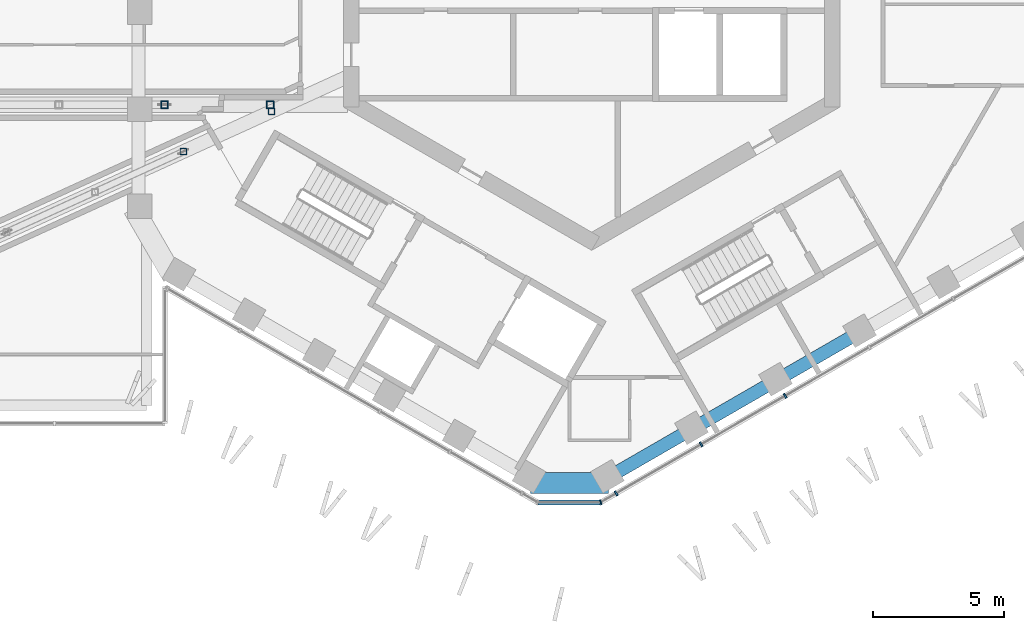
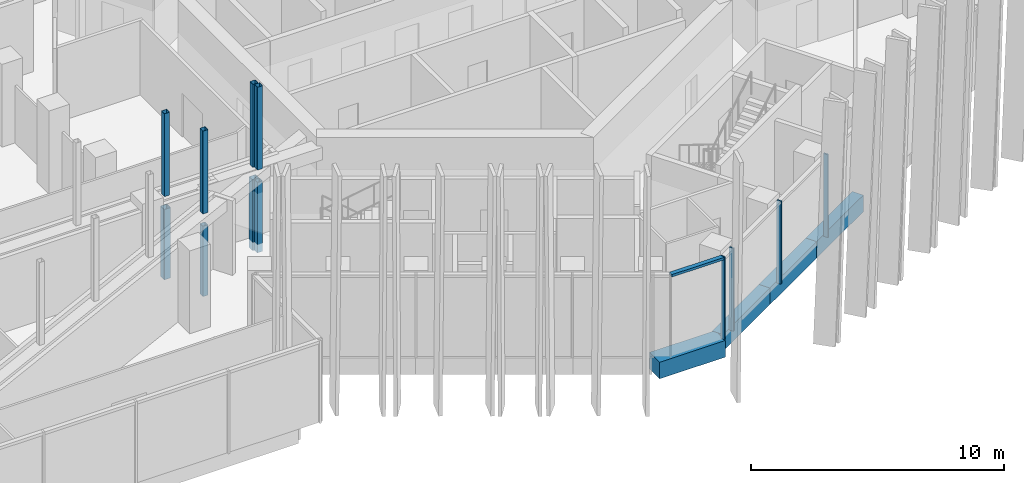
# One storey, part 6 of 28: 13 members, 4 beams, 2 elements without a shape of their own.
"""IFC4 building model written with IfcOpenShell, lengths in metres."""

from ifc_helpers import new_model, si_unit, direction, frame, origin, origin_2d, place, context, subcontext, project, spatial, rectangle, hollow_rectangle, extrude, material, layer, layer_set, material_profile, profile_set, type_object, element, aggregate, save


model = new_model("IFC4")

# Units and contexts
model_context = context("Model", 3, precision=1e-05, world=origin(), true_north=direction((0.0, 1.0)))
body_context = subcontext(model_context, "Body", "Model", "MODEL_VIEW")
ifc_project = project(units=[si_unit("LENGTHUNIT", "METRE"), si_unit("AREAUNIT", "SQUARE_METRE"), si_unit("VOLUMEUNIT", "CUBIC_METRE"), si_unit("PLANEANGLEUNIT", "RADIAN"), si_unit("MASSUNIT", "GRAM", prefix="KILO")], contexts=[model_context])

# Site, building, storey
site_placement = place(None, origin())
site = spatial("IfcSite", under=ifc_project, at=site_placement, CompositionType="ELEMENT")
building_placement = place(site_placement, origin())
building = spatial("IfcBuilding", under=site, at=building_placement, Name="Ayvan Gate Tower", CompositionType="ELEMENT")
storey_placement = place(building_placement, frame((0.0, 0.0, 202.10009765625)))
storey = spatial("IfcBuildingStorey", under=building, at=storey_placement, Name="L54", CompositionType="ELEMENT", Elevation=202.10009765625)

# Beam
ifc_material_1 = material(Name="Concrete C40/50", Category="concrete")
ifc_material_profile_1 = material_profile(ifc_material_1, rectangle(XDim=0.800048828125, YDim=0.800048828125, at=origin_2d()), Name="RC 800x800")
ifc_profile_set_1 = profile_set([ifc_material_profile_1], Name="Concrete C40/50")
beam_type_1 = type_object("IfcBeamType", Name="Corner spandrel beam RC 800x800 C40/50", PredefinedType="BEAM", material=ifc_profile_set_1)
beam_placement = place(storey_placement, frame((-2.348388671875, -19.8642578125, -0.800048828125), z_axis=(1.0, 0.0, 0.0), x_axis=(0.0, 1.0, 0.0)))
element("IfcBeam", 1, at=beam_placement, inside=storey, type_object=beam_type_1, Name="SB-L54-30", PredefinedType="BEAM", context=body_context, shape_type="SweptSolid", body=[
    extrude(rectangle(XDim=0.800048828125, YDim=0.800048828125, at=origin_2d()), origin(), (0.0, 0.0, 1.0), 3.0),
])

# Members
ifc_material_2 = material(Name="Steel S460NH", Category="steel")
ifc_material_profile_2 = material_profile(ifc_material_2, hollow_rectangle(XDim=0.239990234375, YDim=0.239990234375, WallThickness=0.012451171875, InnerFilletRadius=0.012451171875, OuterFilletRadius=0.018798828125, at=origin_2d()), Name="RHS 240x240x12.5")
ifc_profile_set_2 = profile_set([ifc_material_profile_2], Name="Steel S460NH")
member_type_1 = type_object("IfcMemberType", Name="Sky bar end truss post B5 RHS 240x240x12.5", PredefinedType="POST", material=ifc_profile_set_2)
for number, where, z_axis, x_axis, name in (
    (2, (-12.245849609375, -5.65234375, -0.400146484375), (0.0, 0.0, 1.0), (1.0, 0.0, 0.0), "SBT5-4-P-1"),
    (3, (-15.625732421875, -7.193603515625, -0.400146484375), (0.0, 0.0, 1.0), (1.0, 0.0, 0.0), "SBT5-4-P-2"),
):
    element("IfcMember", number, at=place(storey_placement, frame(where, z_axis=z_axis, x_axis=x_axis)), inside=storey, type_object=member_type_1, Name=name, PredefinedType="POST", context=body_context, shape_type="SweptSolid", body=[
        extrude(hollow_rectangle(XDim=0.239990234375, YDim=0.239990234375, WallThickness=0.012451171875, InnerFilletRadius=0.012451171875, OuterFilletRadius=0.018798828125, at=origin_2d()), origin(), (0.0, 0.0, 1.0), 3.400146484375),
    ])
ifc_material_profile_3 = material_profile(ifc_material_2, hollow_rectangle(XDim=0.300048828125, YDim=0.300048828125, WallThickness=0.012451171875, InnerFilletRadius=0.012451171875, OuterFilletRadius=0.018798828125, at=origin_2d()), Name="RHS 300x300x12.5")
ifc_profile_set_3 = profile_set([ifc_material_profile_3], Name="Steel S460NH")
member_type_2 = type_object("IfcMemberType", Name="Sky bar truss post B5 RHS 300x300x12.5", PredefinedType="POST", material=ifc_profile_set_3)
for number, where, z_axis, x_axis, name in (
    (4, (-12.300048828125, -5.39990234375, -0.400146484375), (0.0, 0.0, 1.0), (1.0, 0.0, 0.0), "SBT5-3-P-1"),
    (5, (-16.344970703125, -5.39990234375, -0.400146484375), (0.0, 0.0, 1.0), (1.0, 0.0, 0.0), "SBT5-3-P-2"),
):
    element("IfcMember", number, at=place(storey_placement, frame(where, z_axis=z_axis, x_axis=x_axis)), inside=storey, type_object=member_type_2, Name=name, PredefinedType="POST", context=body_context, shape_type="SweptSolid", body=[
        extrude(hollow_rectangle(XDim=0.300048828125, YDim=0.300048828125, WallThickness=0.012451171875, InnerFilletRadius=0.012451171875, OuterFilletRadius=0.018798828125, at=origin_2d()), origin(), (0.0, 0.0, 1.0), 3.400146484375),
    ])
ifc_material_profile_4 = material_profile(ifc_material_2, hollow_rectangle(XDim=0.25, YDim=0.25, WallThickness=0.012451171875, InnerFilletRadius=0.012451171875, OuterFilletRadius=0.018798828125, at=origin_2d()), Name="RHS 250x250x12.5")
ifc_profile_set_4 = profile_set([ifc_material_profile_4], Name="Steel S460NH")
member_type_3 = type_object("IfcMemberType", Name="Sky bar upper post B5 RHS 250x250x12.5", PredefinedType="POST", material=ifc_profile_set_4)
for number, where, z_axis, x_axis, name in (
    (6, (-12.300048828125, -5.39990234375, 3.599853515625), (0.0, 0.0, 1.0), (1.0, 0.0, 0.0), "SBT5-3-U-1"),
    (7, (-16.344970703125, -5.39990234375, 3.599853515625), (0.0, 0.0, 1.0), (1.0, 0.0, 0.0), "SBT5-3-U-2"),
    (8, (-12.245849609375, -5.65234375, 3.599853515625), (0.0, 0.0, 1.0), (1.0, 0.0, 0.0), "SBT5-4-U-1"),
    (9, (-15.625732421875, -7.193603515625, 3.599853515625), (0.0, 0.0, 1.0), (1.0, 0.0, 0.0), "SBT5-4-U-2"),
):
    element("IfcMember", number, at=place(storey_placement, frame(where, z_axis=z_axis, x_axis=x_axis)), inside=storey, type_object=member_type_3, Name=name, PredefinedType="POST", context=body_context, shape_type="SweptSolid", body=[
        extrude(hollow_rectangle(XDim=0.25, YDim=0.25, WallThickness=0.012451171875, InnerFilletRadius=0.012451171875, OuterFilletRadius=0.018798828125, at=origin_2d()), origin(), (0.0, 0.0, 1.0), 4.0),
    ])

# Beams
ifc_material_profile_5 = material_profile(ifc_material_1, rectangle(XDim=0.5, YDim=0.800048828125, at=origin_2d()), Name="RC 500x800")
ifc_profile_set_5 = profile_set([ifc_material_profile_5], Name="Concrete C40/50")
beam_type_2 = type_object("IfcBeamType", Name="Spandrel beam RC 500x800 C40/50", PredefinedType="BEAM", material=ifc_profile_set_5)
for number, where, z_axis, x_axis, name in (
    (10, (0.651611328125, -19.644287109375, -0.800048828125), (0.866027491634, 0.499996383721, 0.0), (-0.499996383721, 0.866027491634, 0.0), "SB-L54-31"),
    (11, (3.858642578125, -17.792724609375, -0.800048828125), (0.866027491634, 0.499996383721, 0.0), (-0.499996383721, 0.866027491634, 0.0), "SB-L54-32"),
    (12, (7.065673828125, -15.941162109375, -0.800048828125), (0.866027491634, 0.499996383721, 0.0), (-0.499996383721, 0.866027491634, 0.0), "SB-L54-33"),
):
    element("IfcBeam", number, at=place(storey_placement, frame(where, z_axis=z_axis, x_axis=x_axis)), inside=storey, type_object=beam_type_2, Name=name, PredefinedType="BEAM", context=body_context, shape_type="SweptSolid", body=[
        extrude(rectangle(XDim=0.5, YDim=0.800048828125, at=origin_2d()), origin(), (0.0, 0.0, 1.0), 3.703125),
    ])

# Curtain wall, members
ifc_material_3 = material(Name="Bronze anodised aluminium", Category="aluminium")
ifc_layer_1 = layer(ifc_material_3, 0.199951171875)
ifc_layer_set_1 = layer_set([ifc_layer_1], Name="Bronze anodised aluminium")
curtain_wall_type_1 = type_object("IfcCurtainWallType", Name="Stick curtain wall CW-2", PredefinedType="NOTDEFINED", material=ifc_layer_set_1)
curtain_wall_1_placement = place(storey_placement, origin())
curtain_wall_1 = element("IfcCurtainWall", 13, at=curtain_wall_1_placement, inside=storey, type_object=curtain_wall_type_1, Name="Stick curtain wall CW-2 L54", PredefinedType="NOTDEFINED")
ifc_material_profile_6 = material_profile(ifc_material_3, rectangle(XDim=0.199951171875, YDim=0.070068359375, at=origin_2d()), Name="Stick curtain wall CW-2 mullion 200 x 70")
ifc_profile_set_6 = profile_set([ifc_material_profile_6], Name="Bronze anodised aluminium")
member_type_4 = type_object("IfcMemberType", Name="Stick curtain wall CW-2 mullion 200 x 70", PredefinedType="MULLION", material=ifc_profile_set_6)
member_1_placement = place(storey_placement, frame((0.938232421875, -20.27099609375, 0.0), z_axis=(0.0, 0.0, 1.0), x_axis=(0.5, -0.866025403784, 0.0)))
member_1 = element("IfcMember", 14, at=member_1_placement, type_object=member_type_4, Name="CW-2 mullion 1", PredefinedType="MULLION", context=body_context, shape_type="SweptSolid", body=[
    extrude(rectangle(XDim=0.199951171875, YDim=0.070068359375, at=origin_2d()), origin(), (0.0, 0.0, 1.0), 4.0),
])
member_2_placement = place(storey_placement, frame((4.186767578125, -18.3955078125, 0.0), z_axis=(0.0, 0.0, 1.0), x_axis=(0.5, -0.866025403784, 0.0)))
member_2 = element("IfcMember", 15, at=member_2_placement, type_object=member_type_4, Name="CW-2 mullion 2", PredefinedType="MULLION", context=body_context, shape_type="SweptSolid", body=[
    extrude(rectangle(XDim=0.199951171875, YDim=0.070068359375, at=origin_2d()), origin(), (0.0, 0.0, 1.0), 4.0),
])
member_3_placement = place(storey_placement, frame((7.404052734375, -16.537841796875, 0.0), z_axis=(0.0, 0.0, 1.0), x_axis=(0.5, -0.866025403784, 0.0)))
member_3 = element("IfcMember", 16, at=member_3_placement, type_object=member_type_4, Name="CW-2 mullion 3", PredefinedType="MULLION", context=body_context, shape_type="SweptSolid", body=[
    extrude(rectangle(XDim=0.199951171875, YDim=0.070068359375, at=origin_2d()), origin(), (0.0, 0.0, 1.0), 4.0),
])
aggregate(curtain_wall_1, [member_1, member_2, member_3])

ifc_layer_2 = layer(ifc_material_3, 0.199951171875)
ifc_layer_set_2 = layer_set([ifc_layer_2], Name="Bronze anodised aluminium")
curtain_wall_type_2 = type_object("IfcCurtainWallType", Name="Stick curtain wall CW-6", PredefinedType="NOTDEFINED", material=ifc_layer_set_2)
curtain_wall_2_placement = place(storey_placement, origin())
curtain_wall_2 = element("IfcCurtainWall", 17, at=curtain_wall_2_placement, inside=storey, type_object=curtain_wall_type_2, Name="Stick curtain wall CW-6 L54", PredefinedType="NOTDEFINED")
ifc_material_profile_7 = material_profile(ifc_material_3, rectangle(XDim=0.199951171875, YDim=0.050048828125, at=origin_2d()), Name="Stick curtain wall CW-6 mullion 200 x 50")
ifc_profile_set_7 = profile_set([ifc_material_profile_7], Name="Bronze anodised aluminium")
member_type_5 = type_object("IfcMemberType", Name="Stick curtain wall CW-6 mullion 200 x 50", PredefinedType="MULLION", material=ifc_profile_set_7)
member_4_placement = place(storey_placement, frame((0.344970703125, -20.613525390625, 0.0), z_axis=(0.0, 0.0, 1.0), x_axis=(0.258819045103, -0.965925826289, 0.0)))
member_4 = element("IfcMember", 18, at=member_4_placement, type_object=member_type_5, Name="CW-6 mullion 3", PredefinedType="MULLION", context=body_context, shape_type="SweptSolid", body=[
    extrude(rectangle(XDim=0.199951171875, YDim=0.050048828125, at=origin_2d()), origin(), (0.0, 0.0, 1.0), 4.0),
])
ifc_material_profile_8 = material_profile(ifc_material_3, rectangle(XDim=0.199951171875, YDim=0.1201171875, at=origin_2d()), Name="Stick curtain wall CW-6 transom 200 x 120")
ifc_profile_set_8 = profile_set([ifc_material_profile_8], Name="Bronze anodised aluminium")
member_type_6 = type_object("IfcMemberType", Name="Stick curtain wall CW-6 transom 200 x 120", PredefinedType="USERDEFINED", material=ifc_profile_set_8)
member_5_placement = place(storey_placement, frame((-2.04443359375, -20.613525390625, 3.93994140625), z_axis=(1.0, 0.0, 0.0), x_axis=(0.0, 1.0, 0.0)))
member_5 = element("IfcMember", 19, at=member_5_placement, type_object=member_type_6, Name="CW-6 transom 2", ObjectType="TRANSOM", PredefinedType="USERDEFINED", context=body_context, shape_type="SweptSolid", body=[
    extrude(rectangle(XDim=0.199951171875, YDim=0.1201171875, at=origin_2d()), origin(), (0.0, 0.0, 1.0), 2.364501953125),
])
aggregate(curtain_wall_2, [member_4, member_5])

save(model, "model.ifc")
